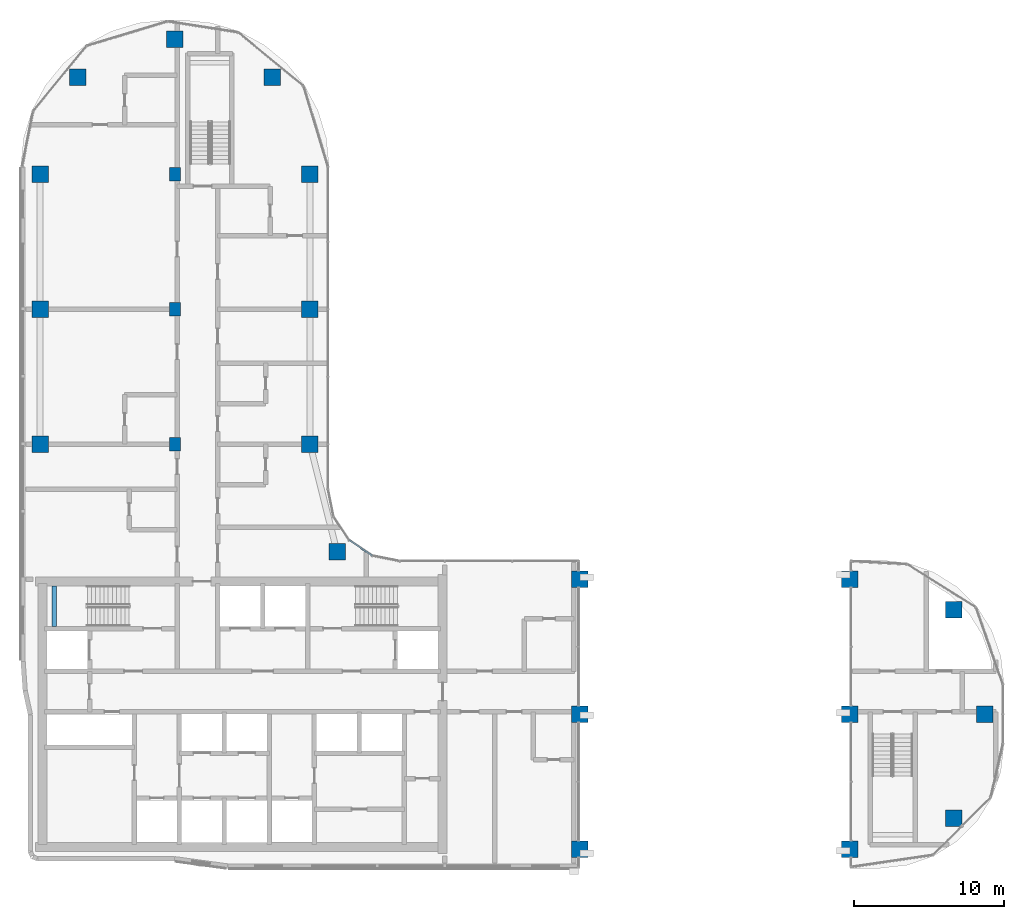
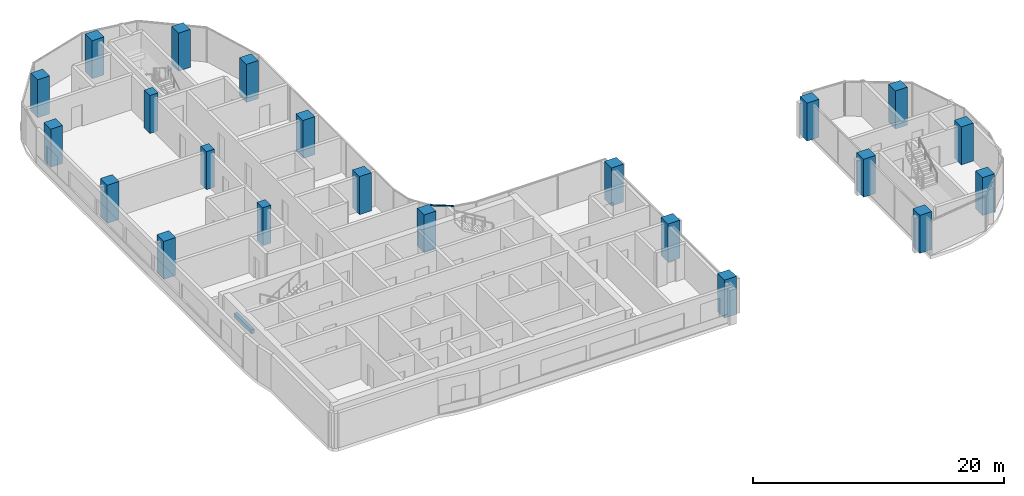
# One storey, part 1 of 23: 22 columns, 1 beam, 1 member, 1 element without a shape of its own.
"""IFC4 building model written with IfcOpenShell, lengths in metres."""

from ifc_helpers import new_model, si_unit, direction, frame, origin, origin_2d, place, context, subcontext, project, spatial, rectangle, extrude, material, material_profile, profile_set, type_object, element, aggregate, save


model = new_model("IFC4")

# Units and contexts
model_context = context("Model", 3, precision=1e-05, world=origin(), true_north=direction((0.0, 1.0)))
body_context = subcontext(model_context, "Body", "Model", "MODEL_VIEW")
ifc_project = project(units=[si_unit("LENGTHUNIT", "METRE"), si_unit("AREAUNIT", "SQUARE_METRE"), si_unit("VOLUMEUNIT", "CUBIC_METRE"), si_unit("PLANEANGLEUNIT", "RADIAN"), si_unit("MASSUNIT", "GRAM", prefix="KILO")], contexts=[model_context])

# Site, building, storey
site_placement = place(None, origin())
site = spatial("IfcSite", under=ifc_project, at=site_placement, CompositionType="ELEMENT")
building_placement = place(site_placement, origin())
building = spatial("IfcBuilding", under=site, at=building_placement, Name="Ogive Portal Towers", CompositionType="ELEMENT")
storey_placement = place(building_placement, frame((0.0, 0.0, 168.10009765625)))
storey = spatial("IfcBuildingStorey", under=building, at=storey_placement, Name="L41", CompositionType="ELEMENT", Elevation=168.10009765625)

# Columns
ifc_material_1 = material(Name="Concrete C60/75", Category="concrete")
ifc_material_profile_1 = material_profile(ifc_material_1, rectangle(XDim=1.10009765625, YDim=1.10009765625, at=origin_2d()), Name="RC 1100x1100")
ifc_profile_set_1 = profile_set([ifc_material_profile_1], Name="Concrete C60/75")
column_type_1 = type_object("IfcColumnType", Name="COLUMN RC 1100x1100", PredefinedType="COLUMN", material=ifc_profile_set_1)
for number, where, z_axis, x_axis, name in (
    (1, (67.5, 21.5, 0.0), (0.0, 0.0, 1.0), (1.0, 0.0, 0.0), "Column 5/A L41"),
    (2, (85.5, 21.5, 0.0), (0.0, 0.0, 1.0), (1.0, 0.0, 0.0), "Column 7/A L41"),
    (3, (92.449951171875, 23.550048828125, 0.0), (0.0, 0.0, 1.0), (1.0, 0.0, 0.0), "Column L41"),
    (4, (67.5, 30.5, 0.0), (0.0, 0.0, 1.0), (1.0, 0.0, 0.0), "Column 5/B L41"),
    (5, (85.5, 30.5, 0.0), (0.0, 0.0, 1.0), (1.0, 0.0, 0.0), "Column 7/B L41"),
    (6, (94.5, 30.5, 0.0), (0.0, 0.0, 1.0), (1.0, 0.0, 0.0), "Column 8/B L41"),
    (7, (92.449951171875, 37.449951171875, 0.0), (0.0, 0.0, 1.0), (1.0, 0.0, 0.0), "Column L41"),
    (8, (67.5, 39.5, 0.0), (0.0, 0.0, 1.0), (1.0, 0.0, 0.0), "Column 5/C L41"),
    (9, (85.5, 39.5, 0.0), (0.0, 0.0, 1.0), (1.0, 0.0, 0.0), "Column 7/C L41"),
    (10, (51.31005859375, 41.31005859375, 0.0), (0.0, 0.0, 1.0), (1.0, 0.0, 0.0), "Column L41"),
    (11, (31.5, 48.5, 0.0), (0.0, 0.0, 1.0), (1.0, 0.0, 0.0), "Column 1/D L41"),
    (12, (49.5, 48.5, 0.0), (0.0, 0.0, 1.0), (1.0, 0.0, 0.0), "Column 3/D L41"),
    (13, (31.5, 57.5, 0.0), (0.0, 0.0, 1.0), (1.0, 0.0, 0.0), "Column 1/E L41"),
    (14, (49.5, 57.5, 0.0), (0.0, 0.0, 1.0), (1.0, 0.0, 0.0), "Column 3/E L41"),
    (15, (31.5, 66.5, 0.0), (0.0, 0.0, 1.0), (1.0, 0.0, 0.0), "Column 1/F L41"),
    (16, (49.5, 66.5, 0.0), (0.0, 0.0, 1.0), (1.0, 0.0, 0.0), "Column 3/F L41"),
    (17, (34.027099609375, 72.972900390625, 0.0), (0.0, 0.0, 1.0), (1.0, 0.0, 0.0), "Column L41"),
    (18, (46.972900390625, 72.972900390625, 0.0), (0.0, 0.0, 1.0), (1.0, 0.0, 0.0), "Column L41"),
    (19, (40.5, 75.5, 0.0), (0.0, 0.0, 1.0), (1.0, 0.0, 0.0), "Column 2/G L41"),
):
    element("IfcColumn", number, at=place(storey_placement, frame(where, z_axis=z_axis, x_axis=x_axis)), inside=storey, type_object=column_type_1, Name=name, PredefinedType="COLUMN", context=body_context, shape_type="SweptSolid", body=[
        extrude(rectangle(XDim=1.10009765625, YDim=1.10009765625, at=origin_2d()), origin(), (0.0, 0.0, 1.0), 3.699951171875),
    ])
ifc_material_profile_2 = material_profile(ifc_material_1, rectangle(XDim=0.89990234375, YDim=0.75, at=origin_2d()), Name="RC 900x750")
ifc_profile_set_2 = profile_set([ifc_material_profile_2], Name="Concrete C60/75")
column_type_2 = type_object("IfcColumnType", Name="COLUMN RC 900x750", PredefinedType="COLUMN", material=ifc_profile_set_2)
for number, where, z_axis, x_axis, name in (
    (20, (40.5, 48.5, 0.0), (0.0, 0.0, 1.0), (0.0, 1.0, 0.0), "Column 2/D L41"),
    (21, (40.5, 57.5, 0.0), (0.0, 0.0, 1.0), (0.0, 1.0, 0.0), "Column 2/E L41"),
    (22, (40.5, 66.5, 0.0), (0.0, 0.0, 1.0), (0.0, 1.0, 0.0), "Column 2/F L41"),
):
    element("IfcColumn", number, at=place(storey_placement, frame(where, z_axis=z_axis, x_axis=x_axis)), inside=storey, type_object=column_type_2, Name=name, PredefinedType="COLUMN", context=body_context, shape_type="SweptSolid", body=[
        extrude(rectangle(XDim=0.89990234375, YDim=0.75, at=origin_2d()), origin(), (0.0, 0.0, 1.0), 3.699951171875),
    ])

# Beam
ifc_material_2 = material(Name="Concrete C40/50", Category="concrete")
ifc_material_profile_3 = material_profile(ifc_material_2, rectangle(XDim=0.300048828125, YDim=0.39990234375, at=origin_2d()), Name="RC 300x400")
ifc_profile_set_3 = profile_set([ifc_material_profile_3], Name="Concrete C40/50")
beam_type = type_object("IfcBeamType", Name="BEAM RC 300x400", PredefinedType="BEAM", material=ifc_profile_set_3)
beam_placement = place(storey_placement, frame((32.449951171875, 36.35009765625, 1.449951171875), z_axis=(0.0, 1.0, 0.0), x_axis=(-1.0, 0.0, 0.0)))
element("IfcBeam", 23, at=beam_placement, inside=storey, type_object=beam_type, Name="Landing beam L41", PredefinedType="BEAM", context=body_context, shape_type="SweptSolid", body=[
    extrude(rectangle(XDim=0.300048828125, YDim=0.39990234375, at=origin_2d()), origin(), (0.0, 0.0, 1.0), 2.699951171875),
])

# Curtain wall, member
ifc_material_3 = material(Name="Glass, clear low-iron insulated glazing", Category="glass")
curtain_wall_type = type_object("IfcCurtainWallType", Name="CW FRONT RIBBON 4500", PredefinedType="NOTDEFINED", material=ifc_material_3)
curtain_wall_placement = place(storey_placement, origin())
curtain_wall = element("IfcCurtainWall", 24, at=curtain_wall_placement, inside=storey, type_object=curtain_wall_type, Name="A:L41:f08:cwa", PredefinedType="NOTDEFINED")
ifc_material_4 = material(Name="Aluminium 6063 anodised", Category="aluminium")
ifc_material_profile_4 = material_profile(ifc_material_4, rectangle(XDim=0.1201171875, YDim=0.06005859375, at=origin_2d()), Name="AL 120x60")
ifc_profile_set_4 = profile_set([ifc_material_profile_4], Name="Aluminium 6063 anodised")
member_type = type_object("IfcMemberType", Name="CW TRANSOM 60x120", PredefinedType="USERDEFINED", material=ifc_profile_set_4)
member_placement = place(storey_placement, frame((53.66455078125, 41.068603515625, 3.369873046875), z_axis=(-0.831467842992, 0.55557288097, 0.0), x_axis=(-0.55557288097, -0.831467842992, 0.0)))
member = element("IfcMember", 25, at=member_placement, type_object=member_type, Name="transom", ObjectType="TRANSOM", PredefinedType="USERDEFINED", context=body_context, shape_type="SweptSolid", body=[
    extrude(rectangle(XDim=0.1201171875, YDim=0.06005859375, at=origin_2d()), origin(), (0.0, 0.0, 1.0), 1.87158203125),
])
aggregate(curtain_wall, [member])

save(model, "model.ifc")
